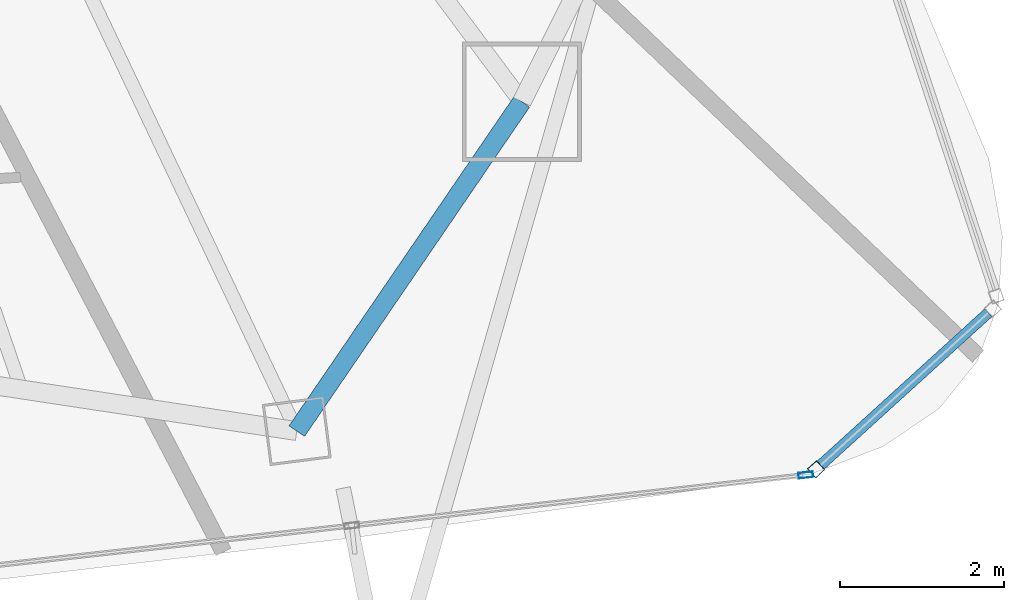
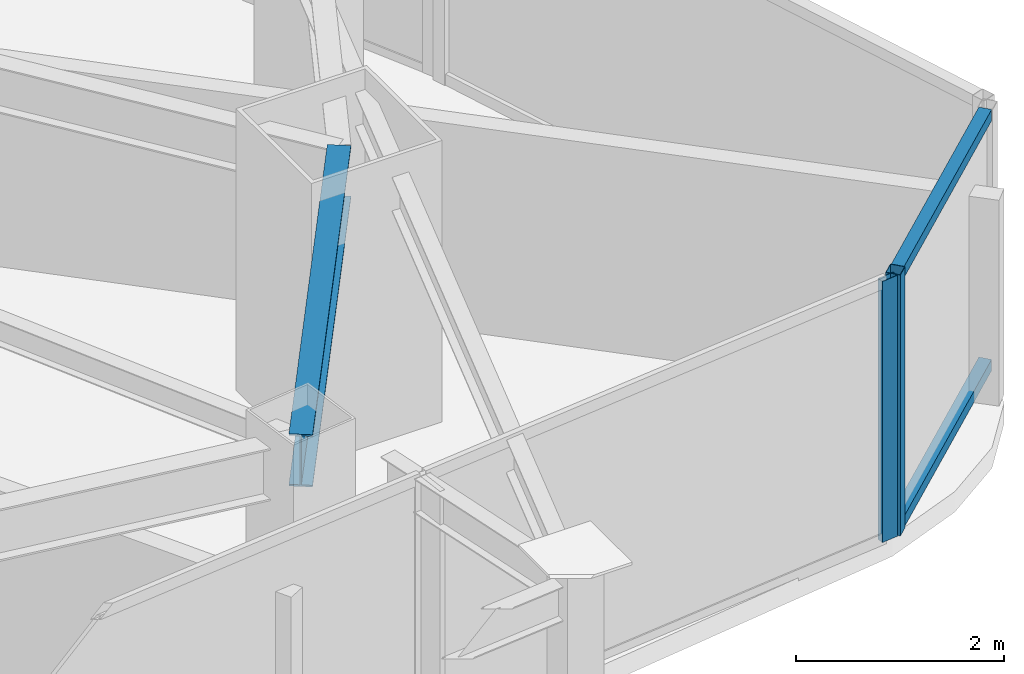
# One storey, part 13 of 29: 4 members, 1 beam, 2 elements without a shape of their own.
"""IFC4 building model written with IfcOpenShell, lengths in metres."""

from ifc_helpers import new_model, si_unit, direction, frame, origin, origin_2d, place, context, subcontext, project, spatial, hollow_rectangle, i_section, extrude, material, layer, layer_set, material_profile, profile_set, type_object, element, aggregate, save


model = new_model("IFC4")

# Units and contexts
model_context = context("Model", 3, precision=1e-05, world=origin(), true_north=direction((0.0, 1.0)))
body_context = subcontext(model_context, "Body", "Model", "MODEL_VIEW")
ifc_project = project(units=[si_unit("LENGTHUNIT", "METRE"), si_unit("AREAUNIT", "SQUARE_METRE"), si_unit("VOLUMEUNIT", "CUBIC_METRE"), si_unit("PLANEANGLEUNIT", "RADIAN"), si_unit("MASSUNIT", "GRAM", prefix="KILO")], contexts=[model_context])

# Site, building, storey
site_placement = place(None, origin())
site = spatial("IfcSite", under=ifc_project, at=site_placement, CompositionType="ELEMENT")
building_placement = place(site_placement, origin())
building = spatial("IfcBuilding", under=site, at=building_placement, Name="Orvanel Arch Residences", CompositionType="ELEMENT")
storey_placement = place(building_placement, frame((0.0, 0.0, 177.050048828125)))
storey = spatial("IfcBuildingStorey", under=building, at=storey_placement, Name="L50", CompositionType="ELEMENT", Elevation=177.050048828125)

# Curtain wall, member
ifc_material_1 = material(Name="Bronze-anodised aluminium AA6063-T6", Category="aluminium")
ifc_layer_1 = layer(ifc_material_1, 0.18994140625)
ifc_layer_set_1 = layer_set([ifc_layer_1], Name="Bronze-anodised aluminium AA6063-T6")
curtain_wall_type_1 = type_object("IfcCurtainWallType", Name="CW5-CRN-SYS", PredefinedType="NOTDEFINED", material=ifc_layer_set_1)
curtain_wall_1_placement = place(storey_placement, origin())
curtain_wall_1 = element("IfcCurtainWall", 1, at=curtain_wall_1_placement, inside=storey, type_object=curtain_wall_type_1, Name="L50 CW5-CRN-SYS Unitised Curtain Wall", PredefinedType="NOTDEFINED")
ifc_material_profile_1 = material_profile(ifc_material_1, hollow_rectangle(XDim=0.14990234375, YDim=0.14990234375, WallThickness=0.0048828125, at=origin_2d()), Name="ALU150x150x5")
ifc_profile_set_1 = profile_set([ifc_material_profile_1], Name="Bronze-anodised aluminium AA6063-T6")
member_type_1 = type_object("IfcMemberType", Name="MUL-150x150", PredefinedType="MULLION", material=ifc_profile_set_1)
member_1_placement = place(storey_placement, frame((55.384521484375, 5.87451171875, 0.0), z_axis=(0.0, 0.0, 1.0), x_axis=(-0.672461234192, 0.740132345266, 0.0)))
member_1 = element("IfcMember", 2, at=member_1_placement, type_object=member_type_1, Name="CW-S5 mullion 1", PredefinedType="MULLION", context=body_context, shape_type="SweptSolid", body=[
    extrude(hollow_rectangle(XDim=0.14990234375, YDim=0.14990234375, WallThickness=0.0048828125, at=origin_2d()), origin(), (0.0, 0.0, 1.0), 3.06005859375),
])

ifc_layer_2 = layer(ifc_material_1, 0.179931640625)
ifc_layer_set_2 = layer_set([ifc_layer_2], Name="Bronze-anodised aluminium AA6063-T6")
curtain_wall_type_2 = type_object("IfcCurtainWallType", Name="CW3-MID-SYS", PredefinedType="NOTDEFINED", material=ifc_layer_set_2)
curtain_wall_2_placement = place(storey_placement, origin())
curtain_wall_2 = element("IfcCurtainWall", 3, at=curtain_wall_2_placement, inside=storey, type_object=curtain_wall_type_2, Name="L50 CW3-MID-SYS Unitised Curtain Wall", PredefinedType="NOTDEFINED")
ifc_material_profile_2 = material_profile(ifc_material_1, hollow_rectangle(XDim=0.070068359375, YDim=0.179931640625, WallThickness=0.00439453125, at=origin_2d()), Name="ALU180x70x4.5")
ifc_profile_set_2 = profile_set([ifc_material_profile_2], Name="Bronze-anodised aluminium AA6063-T6")
member_type_2 = type_object("IfcMemberType", Name="MUL-180x70", PredefinedType="MULLION", material=ifc_profile_set_2)
member_2_placement = place(storey_placement, frame((55.25927734375, 5.80517578125, 0.0), z_axis=(0.0, 0.0, 1.0), x_axis=(-0.110836581045, 0.993838645003, 0.0)))
member_2 = element("IfcMember", 4, at=member_2_placement, type_object=member_type_2, Name="CW-S3 mullion 4", PredefinedType="MULLION", context=body_context, shape_type="SweptSolid", body=[
    extrude(hollow_rectangle(XDim=0.070068359375, YDim=0.179931640625, WallThickness=0.00439453125, at=origin_2d()), origin(), (0.0, 0.0, 1.0), 3.06005859375),
])
aggregate(curtain_wall_2, [member_2])

# Beam
ifc_material_2 = material(Name="Structural steel AS/NZS 3679.1 Grade 300 (300 MPa)", Category="steel")
ifc_material_profile_3 = material_profile(ifc_material_2, i_section(OverallWidth=0.22900390625, OverallDepth=0.612060546875, WebThickness=0.011962890625, FlangeThickness=0.01953125, at=origin_2d()), Name="610UB125")
ifc_profile_set_3 = profile_set([ifc_material_profile_3], Name="Structural steel AS/NZS 3679.1 Grade 300 (300 MPa)")
beam_type = type_object("IfcBeamType", Name="SP-610UB", PredefinedType="SPANDREL", material=ifc_profile_set_3)
beam_placement = place(storey_placement, frame((49.05908203125, 6.339111328125, 2.75390625), z_axis=(0.564251579852, 0.825602903722, 0.0), x_axis=(-0.825602903722, 0.564251579852, 0.0)))
element("IfcBeam", 5, at=beam_placement, inside=storey, type_object=beam_type, Name="L50 Perimeter Spandrel Beam 08", PredefinedType="SPANDREL", context=body_context, shape_type="SweptSolid", body=[
    extrude(i_section(OverallWidth=0.22900390625, OverallDepth=0.612060546875, WebThickness=0.011962890625, FlangeThickness=0.01953125, at=origin_2d()), origin(), (0.0, 0.0, 1.0), 4.859375),
])

# Member
ifc_material_profile_4 = material_profile(ifc_material_1, hollow_rectangle(XDim=0.1298828125, YDim=0.1298828125, WallThickness=0.00439453125, at=origin_2d()), Name="ALU130x130x4.5")
ifc_profile_set_4 = profile_set([ifc_material_profile_4], Name="Bronze-anodised aluminium AA6063-T6")
member_type_3 = type_object("IfcMemberType", Name="TRN-130x130", PredefinedType="USERDEFINED", material=ifc_profile_set_4)
member_3_placement = place(storey_placement, frame((55.43994140625, 5.9248046875, 0.06494140625), z_axis=(0.740144250824, 0.672448130321, 0.0), x_axis=(-0.672448130321, 0.740144250824, 0.0)))
member_3 = element("IfcMember", 6, at=member_3_placement, type_object=member_type_3, Name="CW-S5 transom 1.1", ObjectType="TRANSOM", PredefinedType="USERDEFINED", context=body_context, shape_type="SweptSolid", body=[
    extrude(hollow_rectangle(XDim=0.1298828125, YDim=0.1298828125, WallThickness=0.00439453125, at=origin_2d()), origin(), (0.0, 0.0, 1.0), 2.7587890625),
])

member_4_placement = place(storey_placement, frame((55.43994140625, 5.9248046875, 2.994873046875), z_axis=(0.740144250824, 0.672448130321, 0.0), x_axis=(-0.672448130321, 0.740144250824, 0.0)))
member_4 = element("IfcMember", 7, at=member_4_placement, type_object=member_type_3, Name="CW-S5 transom 1.2", ObjectType="TRANSOM", PredefinedType="USERDEFINED", context=body_context, shape_type="SweptSolid", body=[
    extrude(hollow_rectangle(XDim=0.1298828125, YDim=0.1298828125, WallThickness=0.00439453125, at=origin_2d()), origin(), (0.0, 0.0, 1.0), 2.7587890625),
])

aggregate(curtain_wall_1, [member_1, member_3, member_4])

save(model, "model.ifc")
